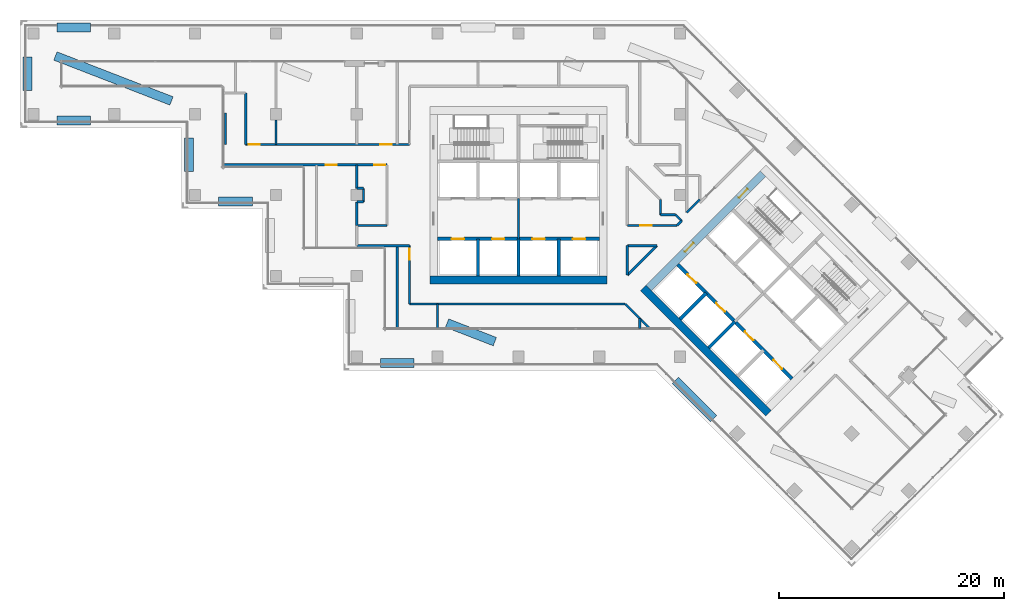
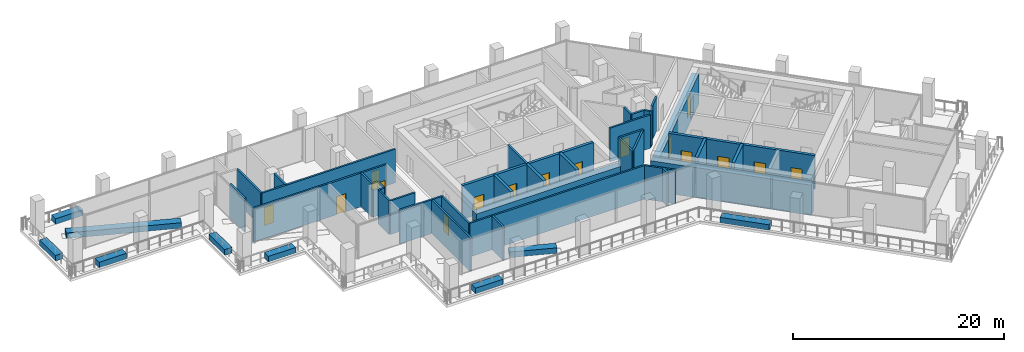
# One storey, part 10 of 21: 47 walls, 16 doors, 16 openings.
"""IFC4 building model written with IfcOpenShell, lengths in metres."""

from ifc_helpers import new_model, si_unit, direction, frame, frame_2d, origin, place, context, subcontext, project, spatial, rectangle, extrude, material, layer, layer_set, type_object, element, fill, save


model = new_model("IFC4")

# Units and contexts
model_context = context("Model", 3, precision=1e-05, world=origin(), true_north=direction((0.0, 1.0)))
body_context = subcontext(model_context, "Body", "Model", "MODEL_VIEW")
ifc_project = project(units=[si_unit("LENGTHUNIT", "METRE"), si_unit("AREAUNIT", "SQUARE_METRE"), si_unit("VOLUMEUNIT", "CUBIC_METRE"), si_unit("PLANEANGLEUNIT", "RADIAN"), si_unit("MASSUNIT", "GRAM", prefix="KILO")], contexts=[model_context])

# Site, building, storey
site_placement = place(None, origin())
site = spatial("IfcSite", under=ifc_project, at=site_placement, CompositionType="ELEMENT")
building_placement = place(site_placement, origin())
building = spatial("IfcBuilding", under=site, at=building_placement, Name="Windrow Commons", CompositionType="ELEMENT")
storey_placement = place(building_placement, frame((0.0, 0.0, 131.2)))
storey = spatial("IfcBuildingStorey", under=building, at=storey_placement, Name="L35", CompositionType="ELEMENT", Elevation=131.2)

# Walls
ifc_material_1 = material(Name="Blockwork partition", Category="masonry")
ifc_layer_1 = layer(ifc_material_1, 0.2)
ifc_layer_set_1 = layer_set([ifc_layer_1], Name="Fire lobby partition 200")
wall_type_1 = type_object("IfcWallType", Name="Fire lobby partition 200", PredefinedType="PARTITIONING", material=ifc_layer_set_1)
wall_1_placement = place(storey_placement, frame((64.8, 53.7, 0.0), z_axis=(0.0, 0.0, 1.0), x_axis=(0.0, 1.0, 0.0)))
element("IfcWall", 1, at=wall_1_placement, inside=storey, type_object=wall_type_1, Name="W-core-lobby-A-L35", PredefinedType="PARTITIONING", context=body_context, shape_type="SweptSolid", body=[
    extrude(rectangle(XDim=3.6, YDim=0.2, at=frame_2d((1.8, 0.0))), origin(), (0.0, 0.0, 1.0), 3.9),
])
ifc_material_2 = material(Name="Blockwork partition", Category="masonry")
ifc_layer_2 = layer(ifc_material_2, 0.2)
ifc_layer_set_2 = layer_set([ifc_layer_2], Name="IW-CORRIDOR-200")
wall_type_2 = type_object("IfcWallType", Name="IW-CORRIDOR-200", PredefinedType="PARTITIONING", material=ifc_layer_set_2)
wall_2_placement = place(storey_placement, frame((55.1, 47.9, 0.0), z_axis=(0.0, 0.0, 1.0), x_axis=(1.0, 0.0, 0.0)))
element("IfcWall", 2, at=wall_2_placement, inside=storey, type_object=wall_type_2, Name="W-L35-W001", PredefinedType="PARTITIONING", context=body_context, shape_type="SweptSolid", body=[
    extrude(rectangle(XDim=19.208, YDim=0.2, at=frame_2d((9.604, 0.0))), origin(), (0.0, 0.0, 1.0), 3.9),
])

# Wall, openings, doors
wall_3_placement = place(storey_placement, frame((40.502, 62.1, 0.0), z_axis=(0.0, 0.0, 1.0), x_axis=(1.0, 0.0, 0.0)))
wall_3 = element("IfcWall", 3, at=wall_3_placement, inside=storey, type_object=wall_type_2, Name="W-L35-W002", PredefinedType="PARTITIONING", context=body_context, shape_type="SweptSolid", body=[
    extrude(rectangle(XDim=14.598, YDim=0.2, at=frame_2d((7.299, 0.0))), origin(), (0.0, 0.0, 1.0), 3.9),
])
opening_1_placement = place(wall_3_placement, frame((0.2647, 0.0, 0.0)))
opening_1 = element("IfcOpeningElement", 4, at=opening_1_placement, cuts=wall_3, Name="Opening D310F", PredefinedType="OPENING", context=body_context, shape_type="SweptSolid", body=[
    extrude(rectangle(XDim=1.0, YDim=2.1, at=frame_2d((0.5, 1.05))), frame((0.0, 0.11, 0.0), z_axis=(0.0, -1.0, 0.0), x_axis=(1.0, 0.0, 0.0)), (0.0, 0.0, 1.0), 0.22),
])
opening_2_placement = place(wall_3_placement, frame((11.9905, 0.0, 0.0)))
opening_2 = element("IfcOpeningElement", 5, at=opening_2_placement, cuts=wall_3, Name="Opening D310F", PredefinedType="OPENING", context=body_context, shape_type="SweptSolid", body=[
    extrude(rectangle(XDim=1.0, YDim=2.1, at=frame_2d((0.5, 1.05))), frame((0.0, 0.11, 0.0), z_axis=(0.0, -1.0, 0.0), x_axis=(1.0, 0.0, 0.0)), (0.0, 0.0, 1.0), 0.22),
])
ifc_material_3 = material(Name="Timber door leaf", Category="wood")
door_type_1 = type_object("IfcDoorType", Name="DT-AMENITY-1000", OperationType="SINGLE_SWING_LEFT", PredefinedType="DOOR", material=ifc_material_3)
door_1_placement = place(opening_1_placement, origin())
door_1 = element("IfcDoor", 6, at=door_1_placement, inside=storey, type_object=door_type_1, Name="D-L35-D005", OperationType="SINGLE_SWING_LEFT", OverallHeight=2.1, OverallWidth=1.0, PredefinedType="DOOR", context=body_context, shape_type="SweptSolid", body=[
    extrude(rectangle(XDim=1.0, YDim=2.1, at=frame_2d((0.5, 1.05))), frame((0.0, 0.025, 0.0), z_axis=(0.0, -1.0, 0.0), x_axis=(1.0, 0.0, 0.0)), (0.0, 0.0, 1.0), 0.05),
])
fill(opening_1, door_1)
door_2_placement = place(opening_2_placement, origin())
door_2 = element("IfcDoor", 7, at=door_2_placement, inside=storey, type_object=door_type_1, Name="D-L35-D007", OperationType="SINGLE_SWING_RIGHT", OverallHeight=2.1, OverallWidth=1.0, PredefinedType="DOOR", context=body_context, shape_type="SweptSolid", body=[
    extrude(rectangle(XDim=1.0, YDim=2.1, at=frame_2d((0.5, 1.05))), frame((0.0, 0.025, 0.0), z_axis=(0.0, -1.0, 0.0), x_axis=(1.0, 0.0, 0.0)), (0.0, 0.0, 1.0), 0.05),
])
fill(opening_2, door_2)

wall_4_placement = place(storey_placement, frame((38.53, 60.3, 0.0), z_axis=(0.0, 0.0, 1.0), x_axis=(1.0, 0.0, 0.0)))
wall_4 = element("IfcWall", 8, at=wall_4_placement, inside=storey, type_object=wall_type_2, Name="W-L35-W003", PredefinedType="PARTITIONING", context=body_context, shape_type="SweptSolid", body=[
    extrude(rectangle(XDim=14.57, YDim=0.2, at=frame_2d((7.285, 0.0))), origin(), (0.0, 0.0, 1.0), 3.9),
])
opening_3_placement = place(wall_4_placement, frame((9.105, 0.0, 0.0)))
opening_3 = element("IfcOpeningElement", 9, at=opening_3_placement, cuts=wall_4, Name="Opening D310F", PredefinedType="OPENING", context=body_context, shape_type="SweptSolid", body=[
    extrude(rectangle(XDim=1.0, YDim=2.1, at=frame_2d((0.5, 1.05))), frame((0.0, 0.11, 0.0), z_axis=(0.0, -1.0, 0.0), x_axis=(1.0, 0.0, 0.0)), (0.0, 0.0, 1.0), 0.22),
])
opening_4_placement = place(wall_4_placement, frame((13.4256, 0.0, 0.0)))
opening_4 = element("IfcOpeningElement", 10, at=opening_4_placement, cuts=wall_4, Name="Opening D410F", PredefinedType="OPENING", context=body_context, shape_type="SweptSolid", body=[
    extrude(rectangle(XDim=1.0, YDim=2.1, at=frame_2d((0.5, 1.05))), frame((0.0, 0.11, 0.0), z_axis=(0.0, -1.0, 0.0), x_axis=(1.0, 0.0, 0.0)), (0.0, 0.0, 1.0), 0.22),
])
door_3_placement = place(opening_3_placement, origin())
door_3 = element("IfcDoor", 11, at=door_3_placement, inside=storey, type_object=door_type_1, Name="D-L35-D000", OperationType="SINGLE_SWING_RIGHT", OverallHeight=2.1, OverallWidth=1.0, PredefinedType="DOOR", context=body_context, shape_type="SweptSolid", body=[
    extrude(rectangle(XDim=1.0, YDim=2.1, at=frame_2d((0.5, 1.05))), frame((0.0, 0.025, 0.0), z_axis=(0.0, -1.0, 0.0), x_axis=(1.0, 0.0, 0.0)), (0.0, 0.0, 1.0), 0.05),
])
fill(opening_3, door_3)
ifc_material_4 = material(Name="Timber door leaf", Category="wood")
door_type_2 = type_object("IfcDoorType", Name="DT-SERVICE-1000", OperationType="SINGLE_SWING_LEFT", PredefinedType="DOOR", material=ifc_material_4)
door_4_placement = place(opening_4_placement, origin())
door_4 = element("IfcDoor", 12, at=door_4_placement, inside=storey, type_object=door_type_2, Name="D-L35-D001", OperationType="SINGLE_SWING_LEFT", OverallHeight=2.1, OverallWidth=1.0, PredefinedType="DOOR", context=body_context, shape_type="SweptSolid", body=[
    extrude(rectangle(XDim=1.0, YDim=2.1, at=frame_2d((0.5, 1.05))), frame((0.0, 0.025, 0.0), z_axis=(0.0, -1.0, 0.0), x_axis=(1.0, 0.0, 0.0)), (0.0, 0.0, 1.0), 0.05),
])
fill(opening_4, door_4)

# Wall, opening, door
wall_5_placement = place(storey_placement, frame((55.1, 47.9, 0.0), z_axis=(0.0, 0.0, 1.0), x_axis=(0.0, 1.0, 0.0)))
wall_5 = element("IfcWall", 13, at=wall_5_placement, inside=storey, type_object=wall_type_2, Name="W-L35-W016", PredefinedType="PARTITIONING", context=body_context, shape_type="SweptSolid", body=[
    extrude(rectangle(XDim=5.2, YDim=0.2, at=frame_2d((2.6, 0.0))), origin(), (0.0, 0.0, 1.0), 3.9),
])
opening_5_placement = place(wall_5_placement, frame((3.9392, 0.0, 0.0)))
opening_5 = element("IfcOpeningElement", 14, at=opening_5_placement, cuts=wall_5, Name="Opening D310F", PredefinedType="OPENING", context=body_context, shape_type="SweptSolid", body=[
    extrude(rectangle(XDim=1.0, YDim=2.1, at=frame_2d((0.5, 1.05))), frame((0.0, 0.11, 0.0), z_axis=(0.0, -1.0, 0.0), x_axis=(1.0, 0.0, 0.0)), (0.0, 0.0, 1.0), 0.22),
])
door_5_placement = place(opening_5_placement, origin())
door_5 = element("IfcDoor", 15, at=door_5_placement, inside=storey, type_object=door_type_1, Name="D-L35-D002", OperationType="SINGLE_SWING_RIGHT", OverallHeight=2.1, OverallWidth=1.0, PredefinedType="DOOR", context=body_context, shape_type="SweptSolid", body=[
    extrude(rectangle(XDim=1.0, YDim=2.1, at=frame_2d((0.5, 1.05))), frame((0.0, 0.025, 0.0), z_axis=(0.0, -1.0, 0.0), x_axis=(1.0, 0.0, 0.0)), (0.0, 0.0, 1.0), 0.05),
])
fill(opening_5, door_5)

# Walls
wall_6_placement = place(storey_placement, frame((50.4, 53.1, 0.0), z_axis=(0.0, 0.0, 1.0), x_axis=(1.0, 0.0, 0.0)))
element("IfcWall", 16, at=wall_6_placement, inside=storey, type_object=wall_type_2, Name="W-L35-W018", PredefinedType="PARTITIONING", context=body_context, shape_type="SweptSolid", body=[
    extrude(rectangle(XDim=4.7, YDim=0.2, at=frame_2d((2.35, 0.0))), origin(), (0.0, 0.0, 1.0), 3.9),
])
wall_7_placement = place(storey_placement, frame((40.5, 62.102, 0.0), z_axis=(0.0, 0.0, 1.0), x_axis=(0.0, 1.0, 0.0)))
element("IfcWall", 17, at=wall_7_placement, inside=storey, type_object=wall_type_2, Name="W-L35-W019", PredefinedType="PARTITIONING", context=body_context, shape_type="SweptSolid", body=[
    extrude(rectangle(XDim=4.598, YDim=0.2, at=frame_2d((2.299, 0.0))), origin(), (0.0, 0.0, 1.0), 3.9),
])

# Wall, opening, door
wall_8_placement = place(storey_placement, frame((74.502, 54.9, 0.0), z_axis=(0.0, 0.0, 1.0), x_axis=(1.0, 0.0, 0.0)))
wall_8 = element("IfcWall", 18, at=wall_8_placement, inside=storey, type_object=wall_type_2, Name="W-L35-W021", PredefinedType="PARTITIONING", context=body_context, shape_type="SweptSolid", body=[
    extrude(rectangle(XDim=4.426, YDim=0.2, at=frame_2d((2.213, 0.0))), origin(), (0.0, 0.0, 1.0), 3.9),
])
opening_6_placement = place(wall_8_placement, frame((1.1657, 0.0, 0.0)))
opening_6 = element("IfcOpeningElement", 19, at=opening_6_placement, cuts=wall_8, Name="Opening D310F", PredefinedType="OPENING", context=body_context, shape_type="SweptSolid", body=[
    extrude(rectangle(XDim=1.0, YDim=2.1, at=frame_2d((0.5, 1.05))), frame((0.0, 0.11, 0.0), z_axis=(0.0, -1.0, 0.0), x_axis=(1.0, 0.0, 0.0)), (0.0, 0.0, 1.0), 0.22),
])
door_6_placement = place(opening_6_placement, origin())
door_6 = element("IfcDoor", 20, at=door_6_placement, inside=storey, type_object=door_type_1, Name="D-L35-D004", OperationType="SINGLE_SWING_LEFT", OverallHeight=2.1, OverallWidth=1.0, PredefinedType="DOOR", context=body_context, shape_type="SweptSolid", body=[
    extrude(rectangle(XDim=1.0, YDim=2.1, at=frame_2d((0.5, 1.05))), frame((0.0, 0.025, 0.0), z_axis=(0.0, -1.0, 0.0), x_axis=(1.0, 0.0, 0.0)), (0.0, 0.0, 1.0), 0.05),
])
fill(opening_6, door_6)

# Walls
wall_9_placement = place(storey_placement, frame((74.5007, 50.4733, 0.0), z_axis=(0.0, 0.0, 1.0), x_axis=(0.7071067812, 0.7071067812, 0.0)))
element("IfcWall", 21, at=wall_9_placement, inside=storey, type_object=wall_type_2, Name="W-L35-W026", PredefinedType="PARTITIONING", context=body_context, shape_type="SweptSolid", body=[
    extrude(rectangle(XDim=3.7137, YDim=0.2, at=frame_2d((1.8568, 0.0))), origin(), (0.0, 0.0, 1.0), 3.9),
])
wall_10_placement = place(storey_placement, frame((74.3051, 47.8971, 0.0), z_axis=(0.0, 0.0, 1.0), x_axis=(0.7071067812, -0.7071067812, 0.0)))
element("IfcWall", 22, at=wall_10_placement, inside=storey, type_object=wall_type_2, Name="W-L35-W028", PredefinedType="PARTITIONING", context=body_context, shape_type="SweptSolid", body=[
    extrude(rectangle(XDim=3.0688, YDim=0.2, at=frame_2d((1.5344, 0.0))), origin(), (0.0, 0.0, 1.0), 3.9),
])
wall_11_placement = place(storey_placement, frame((38.7, 62.102, 0.0), z_axis=(0.0, 0.0, 1.0), x_axis=(0.0, 1.0, 0.0)))
element("IfcWall", 23, at=wall_11_placement, inside=storey, type_object=wall_type_2, Name="W-L35-W029", PredefinedType="PARTITIONING", context=body_context, shape_type="SweptSolid", body=[
    extrude(rectangle(XDim=2.798, YDim=0.2, at=frame_2d((1.399, 0.0))), origin(), (0.0, 0.0, 1.0), 3.9),
])
wall_12_placement = place(storey_placement, frame((50.4, 54.9, 0.0), z_axis=(0.0, 0.0, 1.0), x_axis=(1.0, 0.0, 0.0)))
element("IfcWall", 24, at=wall_12_placement, inside=storey, type_object=wall_type_2, Name="W-L35-W031", PredefinedType="PARTITIONING", context=body_context, shape_type="SweptSolid", body=[
    extrude(rectangle(XDim=2.7, YDim=0.2, at=frame_2d((1.35, 0.0))), origin(), (0.0, 0.0, 1.0), 3.9),
])
wall_13_placement = place(storey_placement, frame((74.5, 50.474, 0.0), z_axis=(0.0, 0.0, 1.0), x_axis=(0.0, 1.0, 0.0)))
element("IfcWall", 25, at=wall_13_placement, inside=storey, type_object=wall_type_2, Name="W-L35-W032", PredefinedType="PARTITIONING", context=body_context, shape_type="SweptSolid", body=[
    extrude(rectangle(XDim=2.626, YDim=0.2, at=frame_2d((1.313, 0.0))), origin(), (0.0, 0.0, 1.0), 3.9),
])
wall_14_placement = place(storey_placement, frame((74.502, 53.1, 0.0), z_axis=(0.0, 0.0, 1.0), x_axis=(1.0, 0.0, 0.0)))
element("IfcWall", 26, at=wall_14_placement, inside=storey, type_object=wall_type_2, Name="W-L35-W033", PredefinedType="PARTITIONING", context=body_context, shape_type="SweptSolid", body=[
    extrude(rectangle(XDim=2.624, YDim=0.2, at=frame_2d((1.312, 0.0))), origin(), (0.0, 0.0, 1.0), 3.9),
])
wall_15_placement = place(storey_placement, frame((79.8013, 56.0567, 0.0), z_axis=(0.0, 0.0, 1.0), x_axis=(0.7071067812, 0.7071067812, 0.0)))
element("IfcWall", 27, at=wall_15_placement, inside=storey, type_object=wall_type_2, Name="W-L35-W048", PredefinedType="PARTITIONING", context=body_context, shape_type="SweptSolid", body=[
    extrude(rectangle(XDim=1.6235, YDim=0.2, at=frame_2d((0.8117, 0.0))), origin(), (0.0, 0.0, 1.0), 3.9),
])
for number, where, z_axis, x_axis, name in (
    (28, (77.452, 55.85, 0.0), (0.0, 0.0, 1.0), (1.0, 0.0, 0.0), "W-L35-W049"),
    (29, (77.45, 55.852, 0.0), (0.0, 0.0, 1.0), (0.0, 1.0, 0.0), "W-L35-W050"),
):
    element("IfcWall", number, at=place(storey_placement, frame(where, z_axis=z_axis, x_axis=x_axis)), inside=storey, type_object=wall_type_2, Name=name, PredefinedType="PARTITIONING", context=body_context, shape_type="SweptSolid", body=[
        extrude(rectangle(XDim=1.352, YDim=0.2, at=frame_2d((0.676, 0.0))), origin(), (0.0, 0.0, 1.0), 3.9),
    ])
wall_16_placement = place(storey_placement, frame((78.8006, 55.8466, 0.0), z_axis=(0.0, 0.0, 1.0), x_axis=(0.7071067812, -0.7071067812, 0.0)))
element("IfcWall", 30, at=wall_16_placement, inside=storey, type_object=wall_type_2, Name="W-L35-W055", PredefinedType="PARTITIONING", context=body_context, shape_type="SweptSolid", body=[
    extrude(rectangle(XDim=0.7608, YDim=0.2, at=frame_2d((0.3804, 0.0))), origin(), (0.0, 0.0, 1.0), 3.9),
])
wall_17_placement = place(storey_placement, frame((78.9287, 54.9013, 0.0), z_axis=(0.0, 0.0, 1.0), x_axis=(0.7071067812, 0.7071067812, 0.0)))
element("IfcWall", 31, at=wall_17_placement, inside=storey, type_object=wall_type_2, Name="W-L35-W058", PredefinedType="PARTITIONING", context=body_context, shape_type="SweptSolid", body=[
    extrude(rectangle(XDim=0.5827, YDim=0.2, at=frame_2d((0.2913, 0.0))), origin(), (0.0, 0.0, 1.0), 3.9),
])
ifc_material_5 = material(Name="Blockwork partition", Category="masonry")
ifc_layer_3 = layer(ifc_material_5, 0.2)
ifc_layer_set_3 = layer_set([ifc_layer_3], Name="IW-PARTY-200")
wall_type_3 = type_object("IfcWallType", Name="IW-PARTY-200", PredefinedType="PARTITIONING", material=ifc_layer_set_3)
wall_18_placement = place(storey_placement, frame((54.0, 45.73, 0.0), z_axis=(0.0, 0.0, 1.0), x_axis=(0.0, 1.0, 0.0)))
element("IfcWall", 32, at=wall_18_placement, inside=storey, type_object=wall_type_3, Name="W-L35-W009", PredefinedType="PARTITIONING", context=body_context, shape_type="SweptSolid", body=[
    extrude(rectangle(XDim=7.37, YDim=0.2, at=frame_2d((3.685, 0.0))), origin(), (0.0, 0.0, 1.0), 3.9),
])
wall_19_placement = place(storey_placement, frame((43.2, 62.1, 0.0), z_axis=(0.0, 0.0, 1.0), x_axis=(0.0, 1.0, 0.0)))
element("IfcWall", 33, at=wall_19_placement, inside=storey, type_object=wall_type_3, Name="W-L35-W035", PredefinedType="PARTITIONING", context=body_context, shape_type="SweptSolid", body=[
    extrude(rectangle(XDim=2.2, YDim=0.2, at=frame_2d((1.1, 0.0))), origin(), (0.0, 0.0, 1.0), 3.9),
])
wall_20_placement = place(storey_placement, frame((57.6, 45.73, 0.0), z_axis=(0.0, 0.0, 1.0), x_axis=(0.0, 1.0, 0.0)))
element("IfcWall", 34, at=wall_20_placement, inside=storey, type_object=wall_type_3, Name="W-L35-W037", PredefinedType="PARTITIONING", context=body_context, shape_type="SweptSolid", body=[
    extrude(rectangle(XDim=2.17, YDim=0.2, at=frame_2d((1.085, 0.0))), origin(), (0.0, 0.0, 1.0), 3.9),
])
wall_21_placement = place(storey_placement, frame((50.4, 54.9, 0.0), z_axis=(0.0, 0.0, 1.0), x_axis=(0.0, 1.0, 0.0)))
element("IfcWall", 35, at=wall_21_placement, inside=storey, type_object=wall_type_3, Name="W-L35-W041", PredefinedType="PARTITIONING", context=body_context, shape_type="SweptSolid", body=[
    extrude(rectangle(XDim=2.096, YDim=0.2, at=frame_2d((1.048, 0.0))), origin(), (0.0, 0.0, 1.0), 3.9),
])
wall_22_placement = place(storey_placement, frame((50.4, 58.206, 0.0), z_axis=(0.0, 0.0, 1.0), x_axis=(0.0, 1.0, 0.0)))
element("IfcWall", 36, at=wall_22_placement, inside=storey, type_object=wall_type_3, Name="W-L35-W042", PredefinedType="PARTITIONING", context=body_context, shape_type="SweptSolid", body=[
    extrude(rectangle(XDim=2.094, YDim=0.2, at=frame_2d((1.047, 0.0))), origin(), (0.0, 0.0, 1.0), 3.9),
])
wall_23_placement = place(storey_placement, frame((51.0, 56.996, 0.0), z_axis=(0.0, 0.0, 1.0), x_axis=(0.0, 1.0, 0.0)))
element("IfcWall", 37, at=wall_23_placement, inside=storey, type_object=wall_type_3, Name="W-L35-W052", PredefinedType="PARTITIONING", context=body_context, shape_type="SweptSolid", body=[
    extrude(rectangle(XDim=1.21, YDim=0.2, at=frame_2d((0.605, 0.0))), origin(), (0.0, 0.0, 1.0), 3.9),
])
wall_24_placement = place(storey_placement, frame((75.6, 45.73, 0.0), z_axis=(0.0, 0.0, 1.0), x_axis=(0.0, 1.0, 0.0)))
element("IfcWall", 38, at=wall_24_placement, inside=storey, type_object=wall_type_3, Name="W-L35-W054", PredefinedType="PARTITIONING", context=body_context, shape_type="SweptSolid", body=[
    extrude(rectangle(XDim=0.878, YDim=0.2, at=frame_2d((0.439, 0.0))), origin(), (0.0, 0.0, 1.0), 3.9),
])
for number, where, z_axis, x_axis, name in (
    (39, (50.4, 58.21, 0.0), (0.0, 0.0, 1.0), (1.0, 0.0, 0.0), "W-L35-W056"),
    (40, (50.4, 57.0, 0.0), (0.0, 0.0, 1.0), (1.0, 0.0, 0.0), "W-L35-W057"),
):
    element("IfcWall", number, at=place(storey_placement, frame(where, z_axis=z_axis, x_axis=x_axis)), inside=storey, type_object=wall_type_3, Name=name, PredefinedType="PARTITIONING", context=body_context, shape_type="SweptSolid", body=[
        extrude(rectangle(XDim=0.6, YDim=0.2, at=frame_2d((0.3, 0.0))), origin(), (0.0, 0.0, 1.0), 3.9),
    ])
ifc_material_6 = material(Name="Concrete C30/37 planter wall", Category="concrete")
ifc_layer_4 = layer(ifc_material_6, 0.8)
ifc_layer_set_4 = layer_set([ifc_layer_4], Name="Planter 800x600")
wall_type_4 = type_object("IfcWallType", Name="Planter 800x600", PredefinedType="SOLIDWALL", material=ifc_layer_set_4)
for number, where, z_axis, x_axis, name in (
    (41, (26.7, 72.55, 0.0), (0.0, 0.0, 1.0), (-1.0, 0.0, 0.0), "PLANTER TR-L35-1.6"),
    (42, (21.05, 69.9, 0.0), (0.0, 0.0, 1.0), (0.0, -1.0, 0.0), "PLANTER TR-L35-1.7"),
    (43, (23.7, 64.25, 0.0), (0.0, 0.0, 1.0), (1.0, 0.0, 0.0), "PLANTER TR-L35-1.8"),
    (44, (35.45, 62.7, 0.0), (0.0, 0.0, 1.0), (0.0, -1.0, 0.0), "PLANTER TR-L35-1.9"),
    (45, (38.1, 57.05, 0.0), (0.0, 0.0, 1.0), (1.0, 0.0, 0.0), "PLANTER TR-L35-1.10"),
    (46, (52.5, 42.65, 0.0), (0.0, 0.0, 1.0), (1.0, 0.0, 0.0), "PLANTER TR-L35-1.14"),
):
    element("IfcWall", number, at=place(storey_placement, frame(where, z_axis=z_axis, x_axis=x_axis)), inside=storey, type_object=wall_type_4, Name=name, PredefinedType="SOLIDWALL", context=body_context, shape_type="SweptSolid", body=[
        extrude(rectangle(XDim=3.0, YDim=0.8, at=frame_2d((1.5, 0.0))), origin(), (0.0, 0.0, 1.0), 0.65),
    ])
wall_25_placement = place(storey_placement, frame((78.7751, 41.1, 0.0), z_axis=(0.0, 0.0, 1.0), x_axis=(0.7071067812, -0.7071067812, 0.0)))
element("IfcWall", 47, at=wall_25_placement, inside=storey, type_object=wall_type_4, Name="PLANTER TR-L35-1.15", PredefinedType="SOLIDWALL", context=body_context, shape_type="SweptSolid", body=[
    extrude(rectangle(XDim=4.8311, YDim=0.8, at=frame_2d((2.4156, 0.0))), origin(), (0.0, 0.0, 1.0), 0.65),
])
wall_26_placement = place(storey_placement, frame((33.8955, 65.9906, 0.0), z_axis=(0.0, 0.0, 1.0), x_axis=(-0.932618236, 0.3608645533, 0.0)))
element("IfcWall", 48, at=wall_26_placement, inside=storey, type_object=wall_type_4, Name="PLANTER TR-L35-1 bed 11", PredefinedType="SOLIDWALL", context=body_context, shape_type="SweptSolid", body=[
    extrude(rectangle(XDim=11.0878, YDim=0.8, at=frame_2d((5.5439, 0.0))), origin(), (0.0, 0.0, 1.0), 0.65),
])
wall_27_placement = place(storey_placement, frame((62.7, 44.5518, 0.0), z_axis=(0.0, 0.0, 1.0), x_axis=(-0.9326237227, 0.3608503732, 0.0)))
element("IfcWall", 49, at=wall_27_placement, inside=storey, type_object=wall_type_4, Name="PLANTER TR-L35-1 bed 17", PredefinedType="SOLIDWALL", context=body_context, shape_type="SweptSolid", body=[
    extrude(rectangle(XDim=4.5675, YDim=0.8, at=frame_2d((2.2837, 0.0))), origin(), (0.0, 0.0, 1.0), 0.65),
])
ifc_material_7 = material(Name="Concrete C50/60", Category="concrete")
ifc_layer_5 = layer(ifc_material_7, 0.7)
ifc_layer_set_5 = layer_set([ifc_layer_5], Name="RC CORE WALL 700 C50/60")
wall_type_5 = type_object("IfcWallType", Name="RC CORE WALL 700 C50/60", PredefinedType="SHEAR", material=ifc_layer_set_5)
wall_28_placement = place(storey_placement, frame((56.9, 50.05, -0.3), z_axis=(0.0, 0.0, 1.0), x_axis=(1.0, 0.0, 0.0)))
element("IfcWall", 50, at=wall_28_placement, inside=storey, type_object=wall_type_5, Name="Core A wall outer-S", PredefinedType="SHEAR", context=body_context, shape_type="SweptSolid", body=[
    extrude(rectangle(XDim=15.8, YDim=0.7, at=frame_2d((7.9, 0.0))), origin(), (0.0, 0.0, 1.0), 3.5),
])
wall_29_placement = place(storey_placement, frame((75.912, 49.3372, -0.3), z_axis=(0.0, 0.0, 1.0), x_axis=(0.7071036166, -0.7071099457, 0.0)))
element("IfcWall", 51, at=wall_29_placement, inside=storey, type_object=wall_type_5, Name="Core B wall outer-S", PredefinedType="SHEAR", context=body_context, shape_type="SweptSolid", body=[
    extrude(rectangle(XDim=15.7999, YDim=0.7, at=frame_2d((7.8999, 0.0))), origin(), (0.0, 0.0, 1.0), 3.5),
])

# Wall, openings, doors
wall_30_placement = place(storey_placement, frame((76.4069, 49.3372, -0.3), z_axis=(0.0, 0.0, 1.0), x_axis=(0.7071067812, 0.7071067812, 0.0)))
wall_30 = element("IfcWall", 52, at=wall_30_placement, inside=storey, type_object=wall_type_5, Name="Core B wall outer-W", PredefinedType="SHEAR", context=body_context, shape_type="SweptSolid", body=[
    extrude(rectangle(XDim=14.4001, YDim=0.7, at=frame_2d((7.2001, 0.0))), origin(), (0.0, 0.0, 1.0), 3.5),
])
opening_7_placement = place(wall_30_placement, frame((4.55, 0.0, 0.3)))
opening_7 = element("IfcOpeningElement", 53, at=opening_7_placement, cuts=wall_30, Name="Opening D6", PredefinedType="OPENING", context=body_context, shape_type="SweptSolid", body=[
    extrude(rectangle(XDim=1.1, YDim=2.1, at=frame_2d((0.55, 1.05))), frame((0.0, 0.36, 0.0), z_axis=(0.0, -1.0, 0.0), x_axis=(1.0, 0.0, 0.0)), (0.0, 0.0, 1.0), 0.72),
])
opening_8_placement = place(wall_30_placement, frame((11.35, 0.0, 0.3)))
opening_8 = element("IfcOpeningElement", 54, at=opening_8_placement, cuts=wall_30, Name="Opening D7", PredefinedType="OPENING", context=body_context, shape_type="SweptSolid", body=[
    extrude(rectangle(XDim=1.1, YDim=2.1, at=frame_2d((0.55, 1.05))), frame((0.0, 0.36, 0.0), z_axis=(0.0, -1.0, 0.0), x_axis=(1.0, 0.0, 0.0)), (0.0, 0.0, 1.0), 0.72),
])
ifc_material_8 = material(Name="Steel fire door leaf", Category="steel")
door_type_3 = type_object("IfcDoorType", Name="Core lobby door 1100", OperationType="SINGLE_SWING_LEFT", PredefinedType="DOOR", material=ifc_material_8)
door_7_placement = place(opening_7_placement, origin())
door_7 = element("IfcDoor", 55, at=door_7_placement, inside=storey, type_object=door_type_3, Name="Lift lobby door", OperationType="DOUBLE_DOOR_SINGLE_SWING", OverallHeight=2.1, OverallWidth=1.1, PredefinedType="DOOR", context=body_context, shape_type="SweptSolid", body=[
    extrude(rectangle(XDim=1.1, YDim=2.1, at=frame_2d((0.55, 1.05))), frame((0.0, 0.025, 0.0), z_axis=(0.0, -1.0, 0.0), x_axis=(1.0, 0.0, 0.0)), (0.0, 0.0, 1.0), 0.05),
])
fill(opening_7, door_7)
ifc_material_9 = material(Name="Steel fire door leaf", Category="steel")
door_type_4 = type_object("IfcDoorType", Name="Stair door 1100", OperationType="SINGLE_SWING_LEFT", PredefinedType="DOOR", material=ifc_material_9)
door_8_placement = place(opening_8_placement, origin())
door_8 = element("IfcDoor", 56, at=door_8_placement, inside=storey, type_object=door_type_4, Name="Stair door", OperationType="SINGLE_SWING_LEFT", OverallHeight=2.1, OverallWidth=1.1, PredefinedType="DOOR", context=body_context, shape_type="SweptSolid", body=[
    extrude(rectangle(XDim=1.1, YDim=2.1, at=frame_2d((0.55, 1.05))), frame((0.0, 0.025, 0.0), z_axis=(0.0, -1.0, 0.0), x_axis=(1.0, 0.0, 0.0)), (0.0, 0.0, 1.0), 0.05),
])
fill(opening_8, door_8)

# Walls
ifc_material_10 = material(Name="Concrete C50/60", Category="concrete")
ifc_layer_6 = layer(ifc_material_10, 0.3)
ifc_layer_set_6 = layer_set([ifc_layer_6], Name="RC SHAFT WALL 300 C50/60")
wall_type_6 = type_object("IfcWallType", Name="RC SHAFT WALL 300 C50/60", PredefinedType="SOLIDWALL", material=ifc_layer_set_6)
for number, where, z_axis, x_axis, name in (
    (57, (61.2, 50.4, 0.0), (0.0, 0.0, 1.0), (0.0, 1.0, 0.0), "Core A wall shaft-S1"),
    (58, (64.8, 50.4, 0.0), (0.0, 0.0, 1.0), (0.0, 1.0, 0.0), "Core A wall shaft-S2"),
    (59, (68.4, 50.4, 0.0), (0.0, 0.0, 1.0), (0.0, 1.0, 0.0), "Core A wall shaft-S3"),
):
    element("IfcWall", number, at=place(storey_placement, frame(where, z_axis=z_axis, x_axis=x_axis)), inside=storey, type_object=wall_type_6, Name=name, PredefinedType="SOLIDWALL", context=body_context, shape_type="SweptSolid", body=[
        extrude(rectangle(XDim=3.3, YDim=0.3, at=frame_2d((1.65, 0.0))), origin(), (0.0, 0.0, 1.0), 3.9),
    ])

# Wall, openings, doors
wall_31_placement = place(storey_placement, frame((57.6, 53.7, 0.0), z_axis=(0.0, 0.0, 1.0), x_axis=(1.0, 0.0, 0.0)))
wall_31 = element("IfcWall", 60, at=wall_31_placement, inside=storey, type_object=wall_type_6, Name="Core A wall lobby-S", PredefinedType="SOLIDWALL", context=body_context, shape_type="SweptSolid", body=[
    extrude(rectangle(XDim=14.4, YDim=0.3, at=frame_2d((7.2, 0.0))), origin(), (0.0, 0.0, 1.0), 3.9),
])
opening_9_placement = place(wall_31_placement, frame((1.25, 0.0, 0.0)))
opening_9 = element("IfcOpeningElement", 61, at=opening_9_placement, cuts=wall_31, Name="Opening LD", PredefinedType="OPENING", context=body_context, shape_type="SweptSolid", body=[
    extrude(rectangle(XDim=1.1, YDim=2.1, at=frame_2d((0.55, 1.05))), frame((0.0, 0.16, 0.0), z_axis=(0.0, -1.0, 0.0), x_axis=(1.0, 0.0, 0.0)), (0.0, 0.0, 1.0), 0.32),
])
opening_10_placement = place(wall_31_placement, frame((4.85, 0.0, 0.0)))
opening_10 = element("IfcOpeningElement", 62, at=opening_10_placement, cuts=wall_31, Name="Opening LD", PredefinedType="OPENING", context=body_context, shape_type="SweptSolid", body=[
    extrude(rectangle(XDim=1.1, YDim=2.1, at=frame_2d((0.55, 1.05))), frame((0.0, 0.16, 0.0), z_axis=(0.0, -1.0, 0.0), x_axis=(1.0, 0.0, 0.0)), (0.0, 0.0, 1.0), 0.32),
])
opening_11_placement = place(wall_31_placement, frame((8.45, 0.0, 0.0)))
opening_11 = element("IfcOpeningElement", 63, at=opening_11_placement, cuts=wall_31, Name="Opening LD", PredefinedType="OPENING", context=body_context, shape_type="SweptSolid", body=[
    extrude(rectangle(XDim=1.1, YDim=2.1, at=frame_2d((0.55, 1.05))), frame((0.0, 0.16, 0.0), z_axis=(0.0, -1.0, 0.0), x_axis=(1.0, 0.0, 0.0)), (0.0, 0.0, 1.0), 0.32),
])
opening_12_placement = place(wall_31_placement, frame((12.05, 0.0, 0.0)))
opening_12 = element("IfcOpeningElement", 64, at=opening_12_placement, cuts=wall_31, Name="Opening LD", PredefinedType="OPENING", context=body_context, shape_type="SweptSolid", body=[
    extrude(rectangle(XDim=1.1, YDim=2.1, at=frame_2d((0.55, 1.05))), frame((0.0, 0.16, 0.0), z_axis=(0.0, -1.0, 0.0), x_axis=(1.0, 0.0, 0.0)), (0.0, 0.0, 1.0), 0.32),
])
ifc_material_11 = material(Name="Stainless steel door leaf", Category="steel")
door_type_5 = type_object("IfcDoorType", Name="Lift landing door 1100", OperationType="SLIDING_TO_LEFT", PredefinedType="DOOR", material=ifc_material_11)
door_9_placement = place(opening_9_placement, origin())
door_9 = element("IfcDoor", 65, at=door_9_placement, inside=storey, type_object=door_type_5, Name="Lift landing door", OperationType="SLIDING_TO_LEFT", OverallHeight=2.1, OverallWidth=1.1, PredefinedType="DOOR", context=body_context, shape_type="SweptSolid", body=[
    extrude(rectangle(XDim=1.1, YDim=2.1, at=frame_2d((0.55, 1.05))), frame((0.0, 0.025, 0.0), z_axis=(0.0, -1.0, 0.0), x_axis=(1.0, 0.0, 0.0)), (0.0, 0.0, 1.0), 0.05),
])
fill(opening_9, door_9)
door_10_placement = place(opening_10_placement, origin())
door_10 = element("IfcDoor", 66, at=door_10_placement, inside=storey, type_object=door_type_5, Name="Lift landing door", OperationType="SLIDING_TO_RIGHT", OverallHeight=2.1, OverallWidth=1.1, PredefinedType="DOOR", context=body_context, shape_type="SweptSolid", body=[
    extrude(rectangle(XDim=1.1, YDim=2.1, at=frame_2d((0.55, 1.05))), frame((0.0, 0.025, 0.0), z_axis=(0.0, -1.0, 0.0), x_axis=(1.0, 0.0, 0.0)), (0.0, 0.0, 1.0), 0.05),
])
fill(opening_10, door_10)
door_11_placement = place(opening_11_placement, origin())
door_11 = element("IfcDoor", 67, at=door_11_placement, inside=storey, type_object=door_type_5, Name="Lift landing door", OperationType="SLIDING_TO_LEFT", OverallHeight=2.1, OverallWidth=1.1, PredefinedType="DOOR", context=body_context, shape_type="SweptSolid", body=[
    extrude(rectangle(XDim=1.1, YDim=2.1, at=frame_2d((0.55, 1.05))), frame((0.0, 0.025, 0.0), z_axis=(0.0, -1.0, 0.0), x_axis=(1.0, 0.0, 0.0)), (0.0, 0.0, 1.0), 0.05),
])
fill(opening_11, door_11)
door_12_placement = place(opening_12_placement, origin())
door_12 = element("IfcDoor", 68, at=door_12_placement, inside=storey, type_object=door_type_5, Name="Lift landing door", OperationType="SLIDING_TO_RIGHT", OverallHeight=2.1, OverallWidth=1.1, PredefinedType="DOOR", context=body_context, shape_type="SweptSolid", body=[
    extrude(rectangle(XDim=1.1, YDim=2.1, at=frame_2d((0.55, 1.05))), frame((0.0, 0.025, 0.0), z_axis=(0.0, -1.0, 0.0), x_axis=(1.0, 0.0, 0.0)), (0.0, 0.0, 1.0), 0.05),
])
fill(opening_12, door_12)

# Walls
wall_32_placement = place(storey_placement, frame((79.2, 46.5442, 0.0), z_axis=(0.0, 0.0, 1.0), x_axis=(0.7071219326, 0.7070916295, 0.0)))
element("IfcWall", 69, at=wall_32_placement, inside=storey, type_object=wall_type_6, Name="Core B wall shaft-S1", PredefinedType="SOLIDWALL", context=body_context, shape_type="SweptSolid", body=[
    extrude(rectangle(XDim=3.3, YDim=0.3, at=frame_2d((1.65, 0.0))), origin(), (0.0, 0.0, 1.0), 3.9),
])
wall_33_placement = place(storey_placement, frame((81.7456, 43.9986, 0.0), z_axis=(0.0, 0.0, 1.0), x_axis=(0.7071067812, 0.7071067812, 0.0)))
element("IfcWall", 70, at=wall_33_placement, inside=storey, type_object=wall_type_6, Name="Core B wall shaft-S2", PredefinedType="SOLIDWALL", context=body_context, shape_type="SweptSolid", body=[
    extrude(rectangle(XDim=3.2999, YDim=0.3, at=frame_2d((1.65, 0.0))), origin(), (0.0, 0.0, 1.0), 3.9),
])

# Wall, openings, doors
wall_34_placement = place(storey_placement, frame((78.9879, 51.4232, 0.0), z_axis=(0.0, 0.0, 1.0), x_axis=(0.7071067812, -0.7071067812, 0.0)))
wall_34 = element("IfcWall", 71, at=wall_34_placement, inside=storey, type_object=wall_type_6, Name="Core B wall lobby-S", PredefinedType="SOLIDWALL", context=body_context, shape_type="SweptSolid", body=[
    extrude(rectangle(XDim=14.3999, YDim=0.3, at=frame_2d((7.2, 0.0))), origin(), (0.0, 0.0, 1.0), 3.9),
])
opening_13_placement = place(wall_34_placement, frame((1.25, 0.0, 0.0)))
opening_13 = element("IfcOpeningElement", 72, at=opening_13_placement, cuts=wall_34, Name="Opening LD", PredefinedType="OPENING", context=body_context, shape_type="SweptSolid", body=[
    extrude(rectangle(XDim=1.1, YDim=2.1, at=frame_2d((0.55, 1.05))), frame((0.0, 0.16, 0.0), z_axis=(0.0, -1.0, 0.0), x_axis=(1.0, 0.0, 0.0)), (0.0, 0.0, 1.0), 0.32),
])
opening_14_placement = place(wall_34_placement, frame((4.85, 0.0, 0.0)))
opening_14 = element("IfcOpeningElement", 73, at=opening_14_placement, cuts=wall_34, Name="Opening LD", PredefinedType="OPENING", context=body_context, shape_type="SweptSolid", body=[
    extrude(rectangle(XDim=1.1, YDim=2.1, at=frame_2d((0.55, 1.05))), frame((0.0, 0.16, 0.0), z_axis=(0.0, -1.0, 0.0), x_axis=(1.0, 0.0, 0.0)), (0.0, 0.0, 1.0), 0.32),
])
opening_15_placement = place(wall_34_placement, frame((8.45, 0.0, 0.0)))
opening_15 = element("IfcOpeningElement", 74, at=opening_15_placement, cuts=wall_34, Name="Opening LD", PredefinedType="OPENING", context=body_context, shape_type="SweptSolid", body=[
    extrude(rectangle(XDim=1.1, YDim=2.1, at=frame_2d((0.55, 1.05))), frame((0.0, 0.16, 0.0), z_axis=(0.0, -1.0, 0.0), x_axis=(1.0, 0.0, 0.0)), (0.0, 0.0, 1.0), 0.32),
])
opening_16_placement = place(wall_34_placement, frame((12.05, 0.0, 0.0)))
opening_16 = element("IfcOpeningElement", 75, at=opening_16_placement, cuts=wall_34, Name="Opening LD", PredefinedType="OPENING", context=body_context, shape_type="SweptSolid", body=[
    extrude(rectangle(XDim=1.1, YDim=2.1, at=frame_2d((0.55, 1.05))), frame((0.0, 0.16, 0.0), z_axis=(0.0, -1.0, 0.0), x_axis=(1.0, 0.0, 0.0)), (0.0, 0.0, 1.0), 0.32),
])
door_13_placement = place(opening_13_placement, origin())
door_13 = element("IfcDoor", 76, at=door_13_placement, inside=storey, type_object=door_type_5, Name="Lift landing door", OperationType="SLIDING_TO_LEFT", OverallHeight=2.1, OverallWidth=1.1, PredefinedType="DOOR", context=body_context, shape_type="SweptSolid", body=[
    extrude(rectangle(XDim=1.1, YDim=2.1, at=frame_2d((0.55, 1.05))), frame((0.0, 0.025, 0.0), z_axis=(0.0, -1.0, 0.0), x_axis=(1.0, 0.0, 0.0)), (0.0, 0.0, 1.0), 0.05),
])
fill(opening_13, door_13)
door_14_placement = place(opening_14_placement, origin())
door_14 = element("IfcDoor", 77, at=door_14_placement, inside=storey, type_object=door_type_5, Name="Lift landing door", OperationType="SLIDING_TO_RIGHT", OverallHeight=2.1, OverallWidth=1.1, PredefinedType="DOOR", context=body_context, shape_type="SweptSolid", body=[
    extrude(rectangle(XDim=1.1, YDim=2.1, at=frame_2d((0.55, 1.05))), frame((0.0, 0.025, 0.0), z_axis=(0.0, -1.0, 0.0), x_axis=(1.0, 0.0, 0.0)), (0.0, 0.0, 1.0), 0.05),
])
fill(opening_14, door_14)
door_15_placement = place(opening_15_placement, origin())
door_15 = element("IfcDoor", 78, at=door_15_placement, inside=storey, type_object=door_type_5, Name="Lift landing door", OperationType="SLIDING_TO_LEFT", OverallHeight=2.1, OverallWidth=1.1, PredefinedType="DOOR", context=body_context, shape_type="SweptSolid", body=[
    extrude(rectangle(XDim=1.1, YDim=2.1, at=frame_2d((0.55, 1.05))), frame((0.0, 0.025, 0.0), z_axis=(0.0, -1.0, 0.0), x_axis=(1.0, 0.0, 0.0)), (0.0, 0.0, 1.0), 0.05),
])
fill(opening_15, door_15)
door_16_placement = place(opening_16_placement, origin())
door_16 = element("IfcDoor", 79, at=door_16_placement, inside=storey, type_object=door_type_5, Name="Lift landing door", OperationType="SLIDING_TO_RIGHT", OverallHeight=2.1, OverallWidth=1.1, PredefinedType="DOOR", context=body_context, shape_type="SweptSolid", body=[
    extrude(rectangle(XDim=1.1, YDim=2.1, at=frame_2d((0.55, 1.05))), frame((0.0, 0.025, 0.0), z_axis=(0.0, -1.0, 0.0), x_axis=(1.0, 0.0, 0.0)), (0.0, 0.0, 1.0), 0.05),
])
fill(opening_16, door_16)

save(model, "model.ifc")
